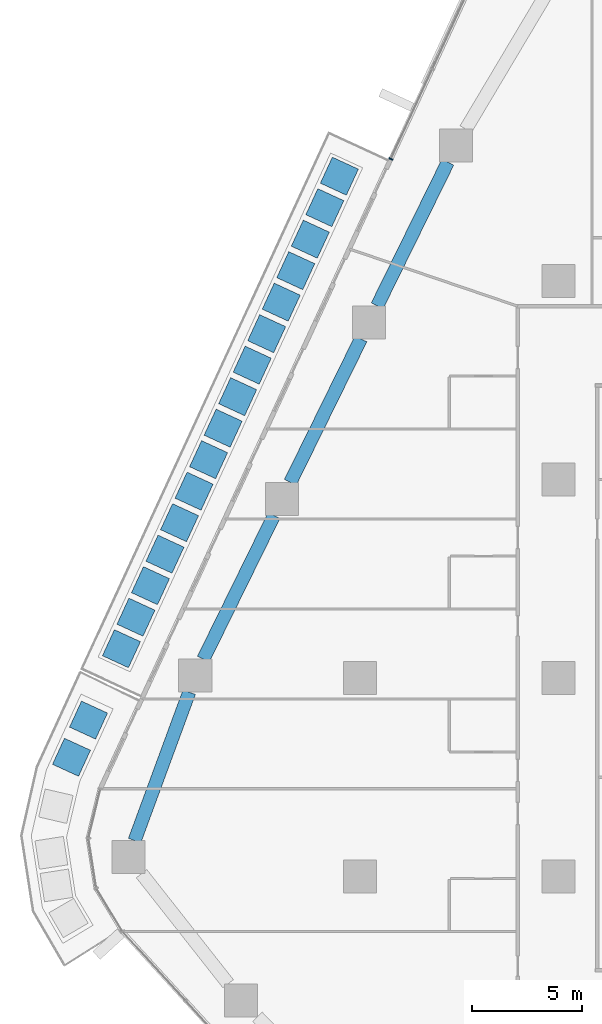
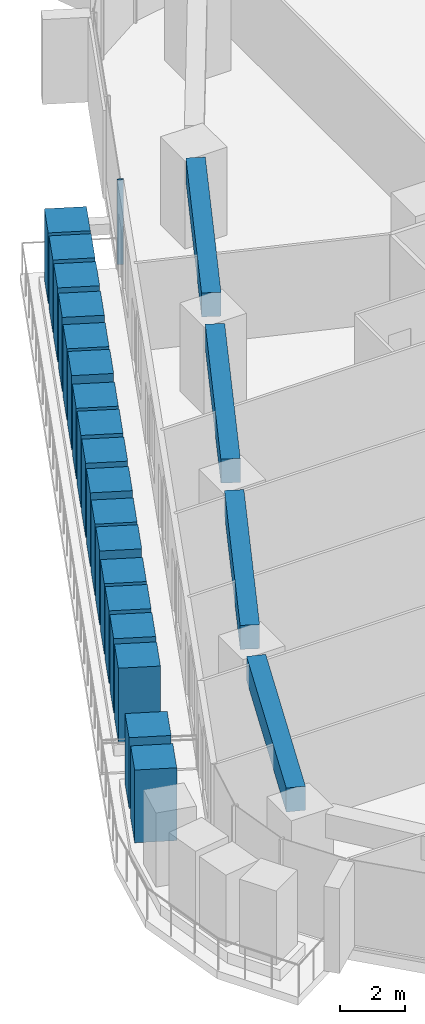
# One storey, part 6 of 27: 19 members, 4 beams, 1 element without a shape of its own.
"""IFC4 building model written with IfcOpenShell, lengths in metres."""

from ifc_helpers import new_model, si_unit, direction, frame, origin, origin_2d, place, context, subcontext, project, spatial, rectangle, extrude, material, layer, layer_set, material_profile, profile_set, type_object, element, aggregate, save


model = new_model("IFC4")

# Units and contexts
model_context = context("Model", 3, precision=1e-05, world=origin(), true_north=direction((0.0, 1.0)))
body_context = subcontext(model_context, "Body", "Model", "MODEL_VIEW")
ifc_project = project(units=[si_unit("LENGTHUNIT", "METRE"), si_unit("AREAUNIT", "SQUARE_METRE"), si_unit("VOLUMEUNIT", "CUBIC_METRE"), si_unit("PLANEANGLEUNIT", "RADIAN"), si_unit("MASSUNIT", "GRAM", prefix="KILO")], contexts=[model_context])

# Site, building, storey
site_placement = place(None, origin())
site = spatial("IfcSite", under=ifc_project, at=site_placement, CompositionType="ELEMENT")
building_placement = place(site_placement, origin())
building = spatial("IfcBuilding", under=site, at=building_placement, Name="Dongbaek Canopy Tower", CompositionType="ELEMENT")
storey_placement = place(building_placement, frame((0.0, 0.0, 55.10009765625)))
storey = spatial("IfcBuildingStorey", under=building, at=storey_placement, Name="L09", CompositionType="ELEMENT", Elevation=55.10009765625)

# Curtain wall, member
ifc_material_1 = material(Name="Aluminium 6063-T6 pale anodised", Category="aluminium")
ifc_layer = layer(ifc_material_1, 0.199951171875)
ifc_layer_set = layer_set([ifc_layer], Name="CW-1 unitised tower curtain wall")
curtain_wall_type = type_object("IfcCurtainWallType", Name="CW-1 unitised tower curtain wall", PredefinedType="NOTDEFINED", material=ifc_layer_set)
curtain_wall_placement = place(storey_placement, origin())
curtain_wall = element("IfcCurtainWall", 1, at=curtain_wall_placement, inside=storey, type_object=curtain_wall_type, Name="CW-1 curtain wall F2.1", PredefinedType="NOTDEFINED")
ifc_material_2 = material(Name="Aluminium 6063-T6 pale anodised", Category="aluminium")
ifc_material_profile_1 = material_profile(ifc_material_2, rectangle(XDim=0.199951171875, YDim=0.06005859375, at=origin_2d()), Name="CW-1 mullion 60 x 200")
ifc_profile_set_1 = profile_set([ifc_material_profile_1], Name="Aluminium 6063-T6 pale anodised")
member_type_1 = type_object("IfcMemberType", Name="CW-1 mullion 60 x 200", PredefinedType="MULLION", material=ifc_profile_set_1)
member_1_placement = place(storey_placement, frame((-25.60107421875, 23.524169921875, 0.119873046875), z_axis=(0.0, 0.0, 1.0), x_axis=(-0.908073315942, 0.418811237761, 0.0)))
member_1 = element("IfcMember", 2, at=member_1_placement, type_object=member_type_1, Name="CW-1 mullion F2.1.3", PredefinedType="MULLION", context=body_context, shape_type="SweptSolid", body=[
    extrude(rectangle(XDim=0.199951171875, YDim=0.06005859375, at=origin_2d()), origin(), (0.0, 0.0, 1.0), 3.179931640625),
])
aggregate(curtain_wall, [member_1])

# Beams
ifc_material_3 = material(Name="Concrete C80", Category="concrete")
ifc_material_profile_2 = material_profile(ifc_material_3, rectangle(XDim=0.60009765625, YDim=0.89990234375, at=origin_2d()), Name="RC EDGE BEAM 600x900 C80")
ifc_profile_set_2 = profile_set([ifc_material_profile_2], Name="Concrete C80")
beam_type = type_object("IfcBeamType", Name="RC EDGE BEAM 600x900 C80", PredefinedType="BEAM", material=ifc_profile_set_2)
beam_1_placement = place(storey_placement, frame((-37.213134765625, -7.373046875, 2.849853515625), z_axis=(0.345225397682, 0.938519805223, 0.0), x_axis=(-0.938519805223, 0.345225397682, 0.0)))
element("IfcBeam", 3, at=beam_1_placement, inside=storey, type_object=beam_type, Name="EDGEBEAM:L09:08", PredefinedType="BEAM", context=body_context, shape_type="SweptSolid", body=[
    extrude(rectangle(XDim=0.60009765625, YDim=0.89990234375, at=origin_2d()), origin(), (0.0, 0.0, 1.0), 7.166748046875),
])
beam_2_placement = place(storey_placement, frame((-34.09423828125, 0.85302734375, 2.849853515625), z_axis=(0.441292548313, 0.897363297, 0.0), x_axis=(-0.897363297, 0.441292548313, 0.0)))
element("IfcBeam", 4, at=beam_2_placement, inside=storey, type_object=beam_type, Name="EDGEBEAM:L09:09", PredefinedType="BEAM", context=body_context, shape_type="SweptSolid", body=[
    extrude(rectangle(XDim=0.60009765625, YDim=0.89990234375, at=origin_2d()), origin(), (0.0, 0.0, 1.0), 7.25244140625),
])
for number, where, z_axis, x_axis, name in (
    (5, (-30.156005859375, 8.861083984375, 2.849853515625), (0.441413427837, 0.897303842477, 0.0), (-0.897303842477, 0.441413427837, 0.0), "EDGEBEAM:L09:10"),
    (6, (-26.217041015625, 16.867919921875, 2.849853515625), (0.441318766596, 0.897350403271, 0.0), (-0.897350403271, 0.441318766596, 0.0), "EDGEBEAM:L09:11"),
):
    element("IfcBeam", number, at=place(storey_placement, frame(where, z_axis=z_axis, x_axis=x_axis)), inside=storey, type_object=beam_type, Name=name, PredefinedType="BEAM", context=body_context, shape_type="SweptSolid", body=[
        extrude(rectangle(XDim=0.60009765625, YDim=0.89990234375, at=origin_2d()), origin(), (0.0, 0.0, 1.0), 7.25146484375),
    ])

# Members
ifc_material_4 = material(Name="Concrete C40/50 planter mass with planting", Category="concrete")
ifc_material_profile_3 = material_profile(ifc_material_4, rectangle(XDim=1.300048828125, YDim=1.300048828125, at=origin_2d()), Name="Terrace PLANTER shrub mass 1300 x 1300")
ifc_profile_set_3 = profile_set([ifc_material_profile_3], Name="Concrete C40/50 planter mass with planting")
member_type_2 = type_object("IfcMemberType", Name="Terrace PLANTER shrub mass 1300 x 1300", PredefinedType="USERDEFINED", material=ifc_profile_set_3)
member_2_placement = place(storey_placement, frame((-27.9326171875, 22.74267578125, 0.419921875), z_axis=(0.0, 0.0, 1.0), x_axis=(-0.908073315942, 0.418811237761, 0.0)))
element("IfcMember", 7, at=member_2_placement, inside=storey, type_object=member_type_2, Name="Planter shrubs L09 3.1", ObjectType="PLANTER", PredefinedType="USERDEFINED", context=body_context, shape_type="SweptSolid", body=[
    extrude(rectangle(XDim=1.300048828125, YDim=1.300048828125, at=origin_2d()), origin(), (0.0, 0.0, 1.0), 2.64990234375),
])
member_3_placement = place(storey_placement, frame((-28.59130859375, 21.314697265625, 0.419921875), z_axis=(0.0, 0.0, 1.0), x_axis=(-0.908073315942, 0.418811237761, 0.0)))
element("IfcMember", 8, at=member_3_placement, inside=storey, type_object=member_type_2, Name="Planter shrubs L09 3.2", ObjectType="PLANTER", PredefinedType="USERDEFINED", context=body_context, shape_type="SweptSolid", body=[
    extrude(rectangle(XDim=1.300048828125, YDim=1.300048828125, at=origin_2d()), origin(), (0.0, 0.0, 1.0), 2.72998046875),
])
member_4_placement = place(storey_placement, frame((-29.249755859375, 19.88671875, 0.419921875), z_axis=(0.0, 0.0, 1.0), x_axis=(-0.908073315942, 0.418811237761, 0.0)))
element("IfcMember", 9, at=member_4_placement, inside=storey, type_object=member_type_2, Name="Planter shrubs L09 3.3", ObjectType="PLANTER", PredefinedType="USERDEFINED", context=body_context, shape_type="SweptSolid", body=[
    extrude(rectangle(XDim=1.300048828125, YDim=1.300048828125, at=origin_2d()), origin(), (0.0, 0.0, 1.0), 2.780029296875),
])
member_5_placement = place(storey_placement, frame((-29.908447265625, 18.458984375, 0.419921875), z_axis=(0.0, 0.0, 1.0), x_axis=(-0.908073315942, 0.418811237761, 0.0)))
element("IfcMember", 10, at=member_5_placement, inside=storey, type_object=member_type_2, Name="Planter shrubs L09 3.4", ObjectType="PLANTER", PredefinedType="USERDEFINED", context=body_context, shape_type="SweptSolid", body=[
    extrude(rectangle(XDim=1.300048828125, YDim=1.300048828125, at=origin_2d()), origin(), (0.0, 0.0, 1.0), 2.77001953125),
])
member_6_placement = place(storey_placement, frame((-30.56689453125, 17.031005859375, 0.419921875), z_axis=(0.0, 0.0, 1.0), x_axis=(-0.908073315942, 0.418811237761, 0.0)))
element("IfcMember", 11, at=member_6_placement, inside=storey, type_object=member_type_2, Name="Planter shrubs L09 3.5", ObjectType="PLANTER", PredefinedType="USERDEFINED", context=body_context, shape_type="SweptSolid", body=[
    extrude(rectangle(XDim=1.300048828125, YDim=1.300048828125, at=origin_2d()), origin(), (0.0, 0.0, 1.0), 2.68994140625),
])
member_7_placement = place(storey_placement, frame((-31.2255859375, 15.60302734375, 0.419921875), z_axis=(0.0, 0.0, 1.0), x_axis=(-0.908073315942, 0.418811237761, 0.0)))
element("IfcMember", 12, at=member_7_placement, inside=storey, type_object=member_type_2, Name="Planter shrubs L09 3.6", ObjectType="PLANTER", PredefinedType="USERDEFINED", context=body_context, shape_type="SweptSolid", body=[
    extrude(rectangle(XDim=1.300048828125, YDim=1.300048828125, at=origin_2d()), origin(), (0.0, 0.0, 1.0), 2.780029296875),
])
member_8_placement = place(storey_placement, frame((-31.884033203125, 14.17529296875, 0.419921875), z_axis=(0.0, 0.0, 1.0), x_axis=(-0.908073315942, 0.418811237761, 0.0)))
element("IfcMember", 13, at=member_8_placement, inside=storey, type_object=member_type_2, Name="Planter shrubs L09 3.7", ObjectType="PLANTER", PredefinedType="USERDEFINED", context=body_context, shape_type="SweptSolid", body=[
    extrude(rectangle(XDim=1.300048828125, YDim=1.300048828125, at=origin_2d()), origin(), (0.0, 0.0, 1.0), 2.64990234375),
])
member_9_placement = place(storey_placement, frame((-32.542724609375, 12.747314453125, 0.419921875), z_axis=(0.0, 0.0, 1.0), x_axis=(-0.908073315942, 0.418811237761, 0.0)))
element("IfcMember", 14, at=member_9_placement, inside=storey, type_object=member_type_2, Name="Planter shrubs L09 3.8", ObjectType="PLANTER", PredefinedType="USERDEFINED", context=body_context, shape_type="SweptSolid", body=[
    extrude(rectangle(XDim=1.300048828125, YDim=1.300048828125, at=origin_2d()), origin(), (0.0, 0.0, 1.0), 2.72998046875),
])
member_10_placement = place(storey_placement, frame((-33.201171875, 11.3193359375, 0.419921875), z_axis=(0.0, 0.0, 1.0), x_axis=(-0.908073315942, 0.418811237761, 0.0)))
element("IfcMember", 15, at=member_10_placement, inside=storey, type_object=member_type_2, Name="Planter shrubs L09 3.9", ObjectType="PLANTER", PredefinedType="USERDEFINED", context=body_context, shape_type="SweptSolid", body=[
    extrude(rectangle(XDim=1.300048828125, YDim=1.300048828125, at=origin_2d()), origin(), (0.0, 0.0, 1.0), 2.780029296875),
])
member_11_placement = place(storey_placement, frame((-33.85986328125, 9.891357421875, 0.419921875), z_axis=(0.0, 0.0, 1.0), x_axis=(-0.908073315942, 0.418811237761, 0.0)))
element("IfcMember", 16, at=member_11_placement, inside=storey, type_object=member_type_2, Name="Planter shrubs L09 3.10", ObjectType="PLANTER", PredefinedType="USERDEFINED", context=body_context, shape_type="SweptSolid", body=[
    extrude(rectangle(XDim=1.300048828125, YDim=1.300048828125, at=origin_2d()), origin(), (0.0, 0.0, 1.0), 2.77001953125),
])
member_12_placement = place(storey_placement, frame((-34.518310546875, 8.463623046875, 0.419921875), z_axis=(0.0, 0.0, 1.0), x_axis=(-0.908073315942, 0.418811237761, 0.0)))
element("IfcMember", 17, at=member_12_placement, inside=storey, type_object=member_type_2, Name="Planter shrubs L09 3.11", ObjectType="PLANTER", PredefinedType="USERDEFINED", context=body_context, shape_type="SweptSolid", body=[
    extrude(rectangle(XDim=1.300048828125, YDim=1.300048828125, at=origin_2d()), origin(), (0.0, 0.0, 1.0), 2.68994140625),
])
member_13_placement = place(storey_placement, frame((-35.177001953125, 7.03564453125, 0.419921875), z_axis=(0.0, 0.0, 1.0), x_axis=(-0.908073315942, 0.418811237761, 0.0)))
element("IfcMember", 18, at=member_13_placement, inside=storey, type_object=member_type_2, Name="Planter shrubs L09 3.12", ObjectType="PLANTER", PredefinedType="USERDEFINED", context=body_context, shape_type="SweptSolid", body=[
    extrude(rectangle(XDim=1.300048828125, YDim=1.300048828125, at=origin_2d()), origin(), (0.0, 0.0, 1.0), 2.780029296875),
])
member_14_placement = place(storey_placement, frame((-35.83544921875, 5.607666015625, 0.419921875), z_axis=(0.0, 0.0, 1.0), x_axis=(-0.908073315942, 0.418811237761, 0.0)))
element("IfcMember", 19, at=member_14_placement, inside=storey, type_object=member_type_2, Name="Planter shrubs L09 3.13", ObjectType="PLANTER", PredefinedType="USERDEFINED", context=body_context, shape_type="SweptSolid", body=[
    extrude(rectangle(XDim=1.300048828125, YDim=1.300048828125, at=origin_2d()), origin(), (0.0, 0.0, 1.0), 2.64990234375),
])
member_15_placement = place(storey_placement, frame((-36.494140625, 4.1796875, 0.419921875), z_axis=(0.0, 0.0, 1.0), x_axis=(-0.908073315942, 0.418811237761, 0.0)))
element("IfcMember", 20, at=member_15_placement, inside=storey, type_object=member_type_2, Name="Planter shrubs L09 3.14", ObjectType="PLANTER", PredefinedType="USERDEFINED", context=body_context, shape_type="SweptSolid", body=[
    extrude(rectangle(XDim=1.300048828125, YDim=1.300048828125, at=origin_2d()), origin(), (0.0, 0.0, 1.0), 2.72998046875),
])
member_16_placement = place(storey_placement, frame((-37.152587890625, 2.751953125, 0.419921875), z_axis=(0.0, 0.0, 1.0), x_axis=(-0.908073315942, 0.418811237761, 0.0)))
element("IfcMember", 21, at=member_16_placement, inside=storey, type_object=member_type_2, Name="Planter shrubs L09 3.15", ObjectType="PLANTER", PredefinedType="USERDEFINED", context=body_context, shape_type="SweptSolid", body=[
    extrude(rectangle(XDim=1.300048828125, YDim=1.300048828125, at=origin_2d()), origin(), (0.0, 0.0, 1.0), 2.780029296875),
])
member_17_placement = place(storey_placement, frame((-37.811279296875, 1.323974609375, 0.419921875), z_axis=(0.0, 0.0, 1.0), x_axis=(-0.908073315942, 0.418811237761, 0.0)))
element("IfcMember", 22, at=member_17_placement, inside=storey, type_object=member_type_2, Name="Planter shrubs L09 3.16", ObjectType="PLANTER", PredefinedType="USERDEFINED", context=body_context, shape_type="SweptSolid", body=[
    extrude(rectangle(XDim=1.300048828125, YDim=1.300048828125, at=origin_2d()), origin(), (0.0, 0.0, 1.0), 2.77001953125),
])
member_18_placement = place(storey_placement, frame((-39.3017578125, -1.91259765625, 0.419921875), z_axis=(0.0, 0.0, 1.0), x_axis=(-0.908982413023, 0.416834466923, 0.0)))
element("IfcMember", 23, at=member_18_placement, inside=storey, type_object=member_type_2, Name="Planter shrubs L09 7.1", ObjectType="PLANTER", PredefinedType="USERDEFINED", context=body_context, shape_type="SweptSolid", body=[
    extrude(rectangle(XDim=1.300048828125, YDim=1.300048828125, at=origin_2d()), origin(), (0.0, 0.0, 1.0), 2.64990234375),
])
member_19_placement = place(storey_placement, frame((-40.074462890625, -3.597900390625, 0.419921875), z_axis=(0.0, 0.0, 1.0), x_axis=(-0.908982413023, 0.416834466923, 0.0)))
element("IfcMember", 24, at=member_19_placement, inside=storey, type_object=member_type_2, Name="Planter shrubs L09 7.2", ObjectType="PLANTER", PredefinedType="USERDEFINED", context=body_context, shape_type="SweptSolid", body=[
    extrude(rectangle(XDim=1.300048828125, YDim=1.300048828125, at=origin_2d()), origin(), (0.0, 0.0, 1.0), 2.72998046875),
])

save(model, "model.ifc")
